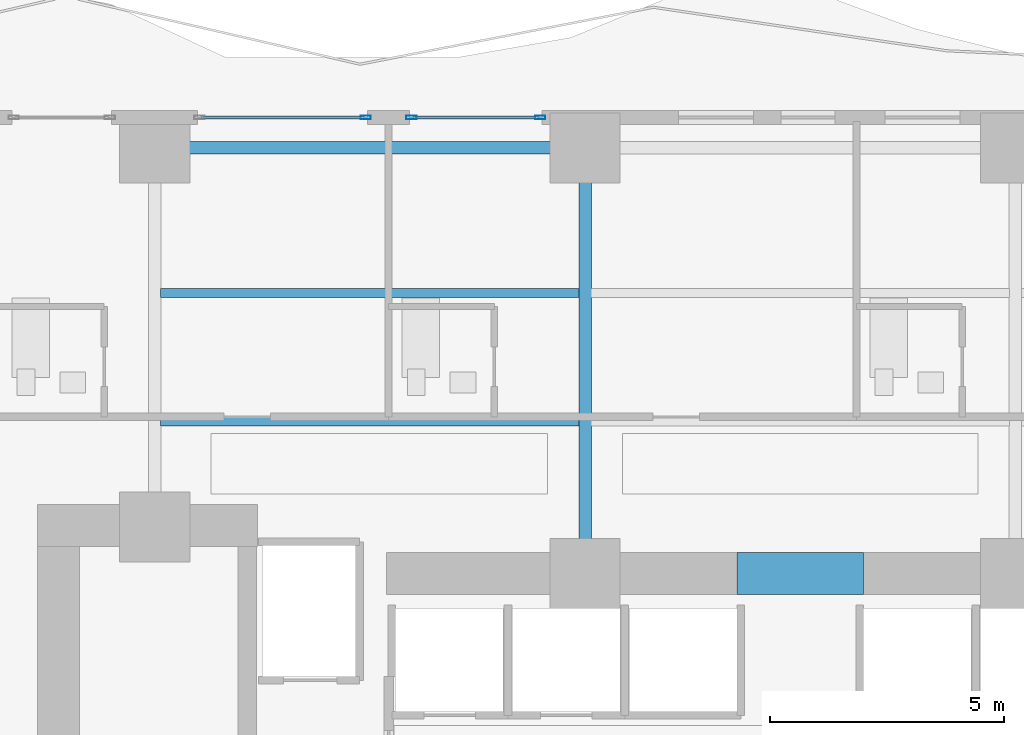
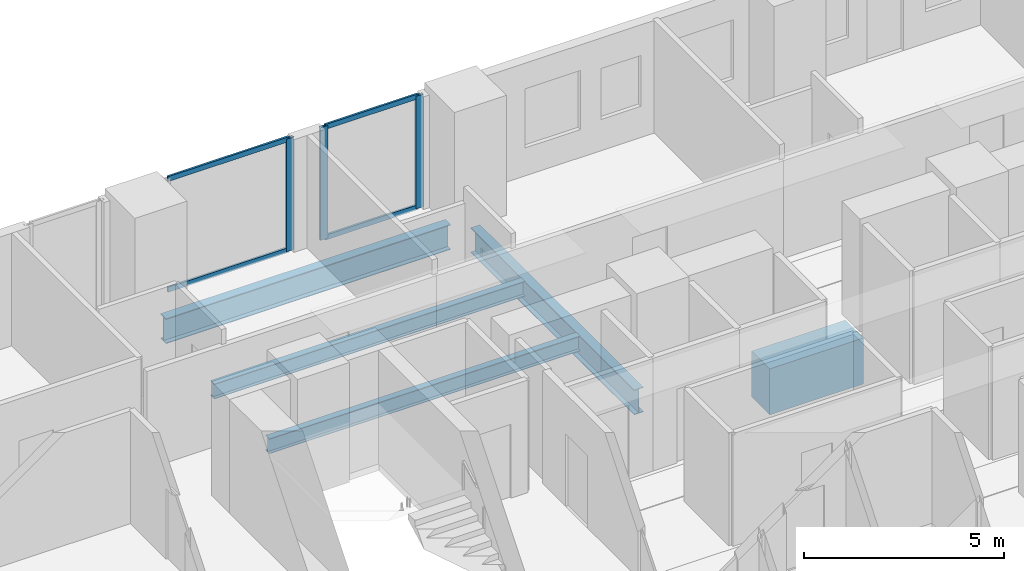
# One storey, part 14 of 29: 7 members, 5 beams, 2 elements without a shape of their own.
"""IFC4 building model written with IfcOpenShell, lengths in metres."""

from ifc_helpers import new_model, si_unit, direction, frame, origin, origin_2d, place, context, subcontext, project, spatial, rectangle, hollow_rectangle, i_section, extrude, material, layer, layer_set, material_profile, profile_set, type_object, element, aggregate, save


model = new_model("IFC4")

# Units and contexts
model_context = context("Model", 3, precision=1e-05, world=origin(), true_north=direction((0.0, 1.0)))
body_context = subcontext(model_context, "Body", "Model", "MODEL_VIEW")
ifc_project = project(units=[si_unit("LENGTHUNIT", "METRE"), si_unit("AREAUNIT", "SQUARE_METRE"), si_unit("VOLUMEUNIT", "CUBIC_METRE"), si_unit("PLANEANGLEUNIT", "RADIAN"), si_unit("MASSUNIT", "GRAM", prefix="KILO")], contexts=[model_context])

# Site, building, storey
site_placement = place(None, origin())
site = spatial("IfcSite", under=ifc_project, at=site_placement, CompositionType="ELEMENT")
building_placement = place(site_placement, origin())
building = spatial("IfcBuilding", under=site, at=building_placement, Name="Zuhayl Quay Hotel", CompositionType="ELEMENT")
storey_placement = place(building_placement, frame((0.0, 0.0, 38.550048828125)))
storey = spatial("IfcBuildingStorey", under=building, at=storey_placement, Name="L08", CompositionType="ELEMENT", Elevation=38.550048828125)

# Beams
ifc_material_1 = material(Name="Steel ASTM A992 Grade 50", Category="steel")
ifc_material_profile_1 = material_profile(ifc_material_1, i_section(OverallWidth=0.26708984375, OverallDepth=0.761962890625, WebThickness=0.014404296875, FlangeThickness=0.021484375, at=origin_2d()), Name="W30X116")
ifc_profile_set_1 = profile_set([ifc_material_profile_1], Name="Steel ASTM A992 Grade 50")
beam_type_1 = type_object("IfcBeamType", Name="BM_B1_W30X116", PredefinedType="BEAM", material=ifc_profile_set_1)
beam_1_placement = place(storey_placement, frame((-5.10009765625, 22.449951171875, -0.60107421875), z_axis=(-1.0, 0.0, 0.0), x_axis=(0.0, -1.0, 0.0)))
element("IfcBeam", 1, at=beam_1_placement, inside=storey, type_object=beam_type_1, Name="L08 Floor Beam RG_L08_09", PredefinedType="BEAM", context=body_context, shape_type="SweptSolid", body=[
    extrude(i_section(OverallWidth=0.26708984375, OverallDepth=0.761962890625, WebThickness=0.014404296875, FlangeThickness=0.021484375, at=origin_2d()), origin(), (0.0, 0.0, 1.0), 8.199951171875),
])
beam_2_placement = place(storey_placement, frame((-4.60009765625, 13.800048828125, -0.60107421875), z_axis=(0.0, 1.0, 0.0), x_axis=(-1.0, 0.0, 0.0)))
element("IfcBeam", 2, at=beam_2_placement, inside=storey, type_object=beam_type_1, Name="L08 Floor Beam FG_N_L08_2", PredefinedType="BEAM", context=body_context, shape_type="SweptSolid", body=[
    extrude(i_section(OverallWidth=0.26708984375, OverallDepth=0.761962890625, WebThickness=0.014404296875, FlangeThickness=0.021484375, at=origin_2d()), origin(), (0.0, 0.0, 1.0), 8.14990234375),
])
ifc_material_2 = material(Name="Concrete C60/75", Category="concrete")
ifc_material_profile_2 = material_profile(ifc_material_2, rectangle(XDim=0.89990234375, YDim=1.39990234375, at=origin_2d()), Name="RC900X1400")
ifc_profile_set_2 = profile_set([ifc_material_profile_2], Name="Concrete C60/75")
beam_type_2 = type_object("IfcBeamType", Name="BM_CB1_RC900", PredefinedType="T_BEAM", material=ifc_profile_set_2)
beam_3_placement = place(storey_placement, frame((-1.35009765625, 13.35009765625, -0.920166015625), z_axis=(1.0, 0.0, 0.0), x_axis=(0.0, 1.0, 0.0)))
element("IfcBeam", 3, at=beam_3_placement, inside=storey, type_object=beam_type_2, Name="L08 Core Coupling Beam North", PredefinedType="T_BEAM", context=body_context, shape_type="SweptSolid", body=[
    extrude(rectangle(XDim=0.89990234375, YDim=1.39990234375, at=origin_2d()), origin(), (0.0, 0.0, 1.0), 2.7001953125),
])
ifc_material_profile_3 = material_profile(ifc_material_1, i_section(OverallWidth=0.18994140625, OverallDepth=0.45703125, WebThickness=0.009033203125, FlangeThickness=0.014404296875, at=origin_2d()), Name="W18X50")
ifc_profile_set_3 = profile_set([ifc_material_profile_3], Name="Steel ASTM A992 Grade 50")
beam_type_3 = type_object("IfcBeamType", Name="BM_J2_W18X50", PredefinedType="JOIST", material=ifc_profile_set_3)
for number, where, z_axis, x_axis, name in (
    (4, (-13.674560546875, 16.60009765625, -0.448486328125), (1.0, 0.0, 0.0), (0.0, 1.0, 0.0), "L08 Floor Beam FJ_L08_1_1"),
    (5, (-13.674560546875, 19.35009765625, -0.448486328125), (1.0, 0.0, 0.0), (0.0, 1.0, 0.0), "L08 Floor Beam FJ_L08_2_1"),
):
    element("IfcBeam", number, at=place(storey_placement, frame(where, z_axis=z_axis, x_axis=x_axis)), inside=storey, type_object=beam_type_3, Name=name, PredefinedType="JOIST", context=body_context, shape_type="SweptSolid", body=[
        extrude(i_section(OverallWidth=0.18994140625, OverallDepth=0.45703125, WebThickness=0.009033203125, FlangeThickness=0.014404296875, at=origin_2d()), origin(), (0.0, 0.0, 1.0), 8.948974609375),
    ])

# Curtain wall, member
ifc_material_3 = material(Name="Anodised Aluminium 6063-T6", Category="aluminium")
ifc_layer = layer(ifc_material_3, 0.18994140625, Name="Anodised Aluminium 6063-T6", Category="aluminium")
ifc_layer_set = layer_set([ifc_layer], Name="Anodised Aluminium 6063-T6")
curtain_wall_type = type_object("IfcCurtainWallType", Name="CW_SYS_Z1", PredefinedType="USERDEFINED", material=ifc_layer_set)
curtain_wall_1_placement = place(storey_placement, origin())
curtain_wall_1 = element("IfcCurtainWall", 6, at=curtain_wall_1_placement, inside=storey, type_object=curtain_wall_type, Name="L08 Curtain Wall ENV_L08_N_CW3", ObjectType="UNITISED CURTAIN WALL", PredefinedType="USERDEFINED")
ifc_material_4 = material(Name="Black-anodised aluminium 6063-T6", Category="aluminium")
ifc_material_profile_4 = material_profile(ifc_material_4, hollow_rectangle(XDim=0.074951171875, YDim=0.219970703125, WallThickness=0.00390625, at=origin_2d()), Name="ALU220X75")
ifc_profile_set_4 = profile_set([ifc_material_profile_4], Name="Black-anodised aluminium 6063-T6")
member_type_1 = type_object("IfcMemberType", Name="MB_CW_MUL_220", PredefinedType="MULLION", material=ifc_profile_set_4)
member_1_placement = place(storey_placement, frame((-9.28759765625, 23.10009765625, 0.0), z_axis=(0.0, 0.0, 1.0), x_axis=(0.0, 1.0, 0.0)))
member_1 = element("IfcMember", 7, at=member_1_placement, type_object=member_type_1, Name="CW-Z1 mullion 2", PredefinedType="MULLION", context=body_context, shape_type="SweptSolid", body=[
    extrude(hollow_rectangle(XDim=0.074951171875, YDim=0.219970703125, WallThickness=0.00390625, at=origin_2d()), origin(), (0.0, 0.0, 1.0), 3.429931640625),
])

# Curtain wall, members
curtain_wall_2_placement = place(storey_placement, origin())
curtain_wall_2 = element("IfcCurtainWall", 8, at=curtain_wall_2_placement, inside=storey, type_object=curtain_wall_type, Name="L08 Curtain Wall ENV_L08_N_CW4", ObjectType="UNITISED CURTAIN WALL", PredefinedType="USERDEFINED")
member_2_placement = place(storey_placement, frame((-8.3125, 23.10009765625, 0.0), z_axis=(0.0, 0.0, 1.0), x_axis=(0.0, 1.0, 0.0)))
member_2 = element("IfcMember", 9, at=member_2_placement, type_object=member_type_1, Name="CW-Z1 mullion 1", PredefinedType="MULLION", context=body_context, shape_type="SweptSolid", body=[
    extrude(hollow_rectangle(XDim=0.074951171875, YDim=0.219970703125, WallThickness=0.00390625, at=origin_2d()), origin(), (0.0, 0.0, 1.0), 3.429931640625),
])
member_3_placement = place(storey_placement, frame((-5.5576171875, 23.10009765625, 0.0), z_axis=(0.0, 0.0, 1.0), x_axis=(0.0, 1.0, 0.0)))
member_3 = element("IfcMember", 10, at=member_3_placement, type_object=member_type_1, Name="CW-Z1 mullion 2", PredefinedType="MULLION", context=body_context, shape_type="SweptSolid", body=[
    extrude(hollow_rectangle(XDim=0.074951171875, YDim=0.219970703125, WallThickness=0.00390625, at=origin_2d()), origin(), (0.0, 0.0, 1.0), 3.429931640625),
])

# Member
ifc_material_profile_5 = material_profile(ifc_material_4, hollow_rectangle(XDim=0.06005859375, YDim=0.14990234375, WallThickness=0.00341796875, at=origin_2d()), Name="ALU150X60")
ifc_profile_set_5 = profile_set([ifc_material_profile_5], Name="Black-anodised aluminium 6063-T6")
member_type_2 = type_object("IfcMemberType", Name="MB_CW_TRN_150", PredefinedType="USERDEFINED", material=ifc_profile_set_5)
member_4_placement = place(storey_placement, frame((-12.804931640625, 23.10009765625, 0.030029296875), z_axis=(1.0, 0.0, 0.0), x_axis=(0.0, 1.0, 0.0)))
member_4 = element("IfcMember", 11, at=member_4_placement, type_object=member_type_2, Name="CW-Z1 transom 1.1", ObjectType="TRANSOM", PredefinedType="USERDEFINED", context=body_context, shape_type="SweptSolid", body=[
    extrude(hollow_rectangle(XDim=0.06005859375, YDim=0.14990234375, WallThickness=0.00341796875, at=origin_2d()), origin(), (0.0, 0.0, 1.0), 3.47998046875),
])

member_5_placement = place(storey_placement, frame((-12.804931640625, 23.10009765625, 3.39990234375), z_axis=(1.0, 0.0, 0.0), x_axis=(0.0, 1.0, 0.0)))
member_5 = element("IfcMember", 12, at=member_5_placement, type_object=member_type_2, Name="CW-Z1 transom 1.2", ObjectType="TRANSOM", PredefinedType="USERDEFINED", context=body_context, shape_type="SweptSolid", body=[
    extrude(hollow_rectangle(XDim=0.06005859375, YDim=0.14990234375, WallThickness=0.00341796875, at=origin_2d()), origin(), (0.0, 0.0, 1.0), 3.47998046875),
])

aggregate(curtain_wall_1, [member_1, member_4, member_5])

member_6_placement = place(storey_placement, frame((-8.27490234375, 23.10009765625, 0.030029296875), z_axis=(1.0, 0.0, 0.0), x_axis=(0.0, 1.0, 0.0)))
member_6 = element("IfcMember", 13, at=member_6_placement, type_object=member_type_2, Name="CW-Z1 transom 1.1", ObjectType="TRANSOM", PredefinedType="USERDEFINED", context=body_context, shape_type="SweptSolid", body=[
    extrude(hollow_rectangle(XDim=0.06005859375, YDim=0.14990234375, WallThickness=0.00341796875, at=origin_2d()), origin(), (0.0, 0.0, 1.0), 2.679931640625),
])

member_7_placement = place(storey_placement, frame((-8.27490234375, 23.10009765625, 3.39990234375), z_axis=(1.0, 0.0, 0.0), x_axis=(0.0, 1.0, 0.0)))
member_7 = element("IfcMember", 14, at=member_7_placement, type_object=member_type_2, Name="CW-Z1 transom 1.2", ObjectType="TRANSOM", PredefinedType="USERDEFINED", context=body_context, shape_type="SweptSolid", body=[
    extrude(hollow_rectangle(XDim=0.06005859375, YDim=0.14990234375, WallThickness=0.00341796875, at=origin_2d()), origin(), (0.0, 0.0, 1.0), 2.679931640625),
])

aggregate(curtain_wall_2, [member_2, member_3, member_6, member_7])

save(model, "model.ifc")
